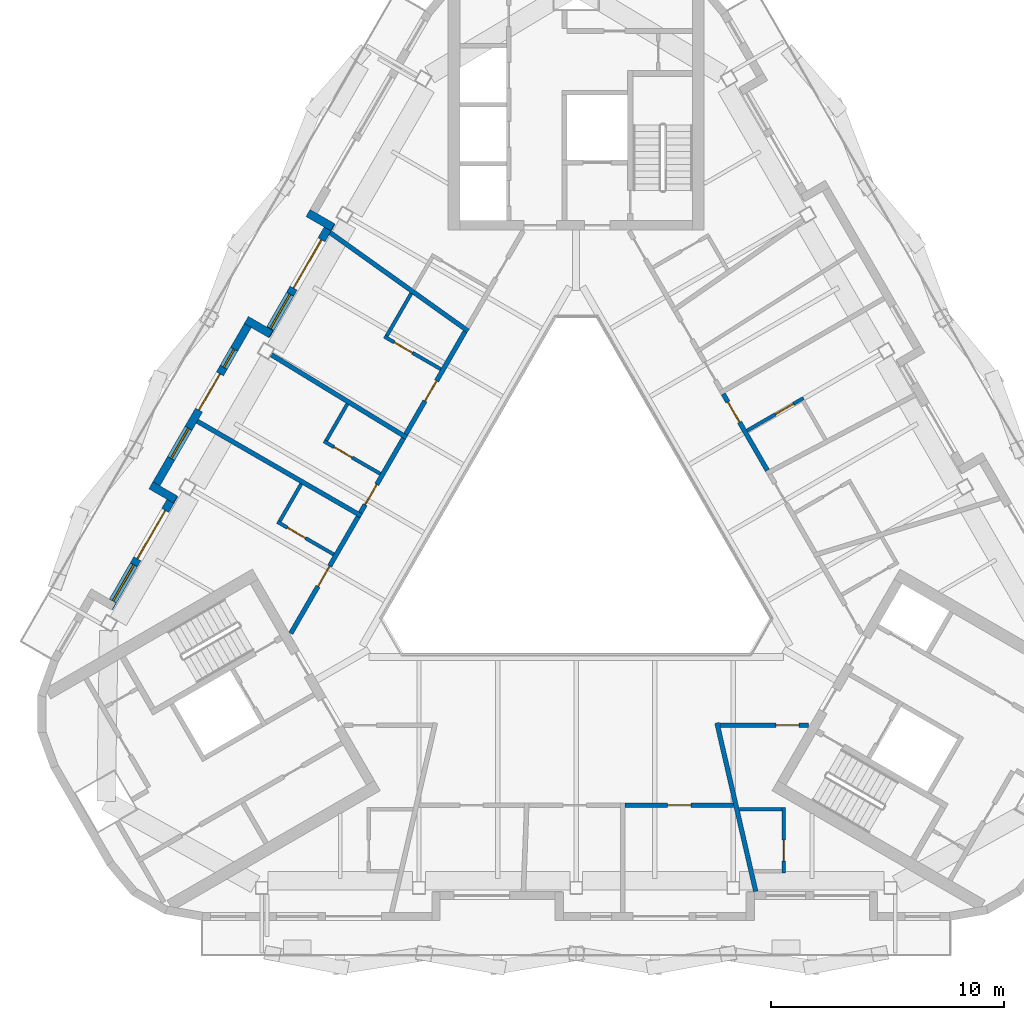
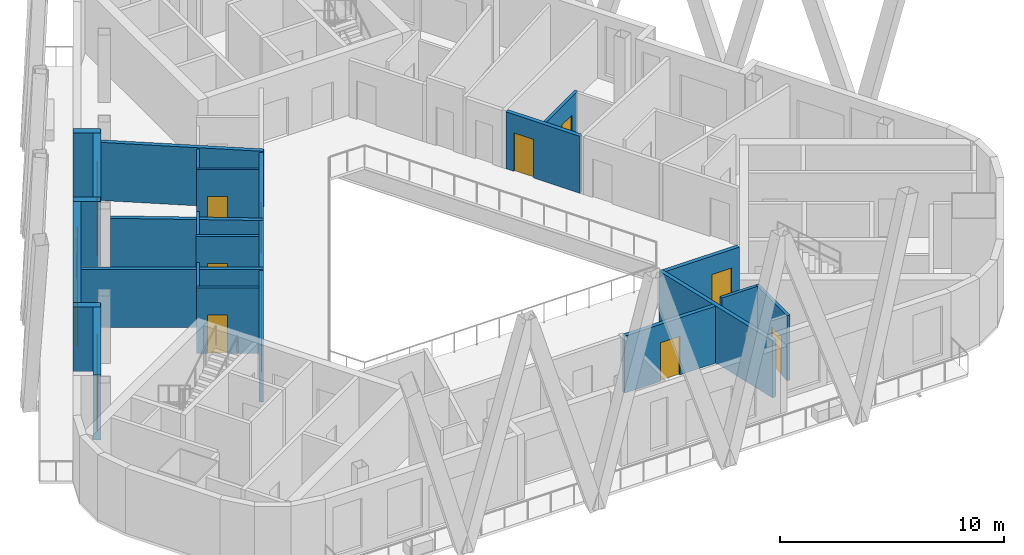
# One storey, part 4 of 12: 25 walls, 14 doors, 4 windows, 18 openings.
"""IFC4 building model written with IfcOpenShell, lengths in metres."""

from ifc_helpers import new_model, si_unit, direction, frame, frame_2d, origin, place, context, subcontext, project, spatial, rectangle, extrude, material, layer, layer_set, type_object, element, fill, save


model = new_model("IFC4")

# Units and contexts
model_context = context("Model", 3, precision=1e-05, world=origin(), true_north=direction((0.0, 1.0)))
body_context = subcontext(model_context, "Body", "Model", "MODEL_VIEW")
ifc_project = project(units=[si_unit("LENGTHUNIT", "METRE"), si_unit("AREAUNIT", "SQUARE_METRE"), si_unit("VOLUMEUNIT", "CUBIC_METRE"), si_unit("PLANEANGLEUNIT", "RADIAN"), si_unit("MASSUNIT", "GRAM", prefix="KILO")], contexts=[model_context])

# Site, building, storey
site_placement = place(None, origin())
site = spatial("IfcSite", under=ifc_project, at=site_placement, CompositionType="ELEMENT")
building_placement = place(site_placement, origin())
building = spatial("IfcBuilding", under=site, at=building_placement, Name="Apuvela Tower Hotel", CompositionType="ELEMENT")
storey_placement = place(building_placement, frame((0.0, 0.0, 302.199951171875)))
storey = spatial("IfcBuildingStorey", under=building, at=storey_placement, Name="L75", CompositionType="ELEMENT", Elevation=302.199951171875)

# Wall
ifc_material_1 = material(Name="Concrete C40/50, dark pigmented precast panel", Category="concrete")
ifc_layer_1 = layer(ifc_material_1, 0.35009765625)
ifc_layer_set_1 = layer_set([ifc_layer_1], Name="ENV-WALL-350")
wall_type_1 = type_object("IfcWallType", Name="ENV-WALL-350", PredefinedType="SOLIDWALL", material=ifc_layer_set_1)
wall_1_placement = place(storey_placement, frame((-11.527587890625, 13.622802734375, 0.0), z_axis=(0.0, 0.0, 1.0), x_axis=(0.866005645448, -0.500034220881, 0.0)))
element("IfcWall", 1, at=wall_1_placement, inside=storey, type_object=wall_type_1, Name="External wall L75-02", PredefinedType="SOLIDWALL", context=body_context, shape_type="SweptSolid", body=[
    extrude(rectangle(XDim=1.22021484375, YDim=0.35009765625, at=frame_2d((0.610107421875, 0.0))), origin(), (0.0, 0.0, 1.0), 3.550048828125),
])

# Wall, openings, door, window
wall_2_placement = place(storey_placement, frame((-10.52392578125, 13.2109375, 0.0), z_axis=(0.0, 0.0, 1.0), x_axis=(-0.500008054862, -0.866020753258, 0.0)))
wall_2 = element("IfcWall", 2, at=wall_2_placement, inside=storey, type_object=wall_type_1, Name="External wall L75-03", PredefinedType="SOLIDWALL", context=body_context, shape_type="SweptSolid", body=[
    extrude(rectangle(XDim=5.59912109375, YDim=0.35009765625, at=frame_2d((2.799560546875, 0.0))), origin(), (0.0, 0.0, 1.0), 3.550048828125),
])
opening_1_placement = place(wall_2_placement, frame((0.85107421875, 0.0, 0.0)))
opening_1 = element("IfcOpeningElement", 3, at=opening_1_placement, cuts=wall_2, Name="Opening BD24", PredefinedType="OPENING", context=body_context, shape_type="SweptSolid", body=[
    extrude(rectangle(XDim=2.39990234375, YDim=2.39990234375, at=frame_2d((1.199951171875, 1.199951171875))), frame((0.0, 0.18505859375, 0.0), z_axis=(0.0, -1.0, 0.0), x_axis=(1.0, 0.0, 0.0)), (0.0, 0.0, 1.0), 0.3701171875),
])
opening_2_placement = place(wall_2_placement, frame((3.551025390625, 0.0, 0.300048828125)))
opening_2 = element("IfcOpeningElement", 4, at=opening_2_placement, cuts=wall_2, Name="Opening WN17", PredefinedType="OPENING", context=body_context, shape_type="SweptSolid", body=[
    extrude(rectangle(XDim=1.699951171875, YDim=2.64990234375, at=frame_2d((0.85009765625, 1.324951171875))), frame((0.0, 0.18505859375, 0.0), z_axis=(0.0, -1.0, 0.0), x_axis=(1.0, 0.0, 0.0)), (0.0, 0.0, 1.0), 0.3701171875),
])
ifc_material_2 = material(Name="Aluminium 6063-T6, dark bronze anodised frame with dark tinted laminated glass", Category="aluminium")
door_type_1 = type_object("IfcDoorType", Name="ENV-DOOR-BALCONY-2400x2400", OperationType="SLIDING_TO_LEFT", PredefinedType="DOOR", material=ifc_material_2)
door_1_placement = place(opening_1_placement, frame((2.39990234375, 0.0, 0.0), z_axis=(0.0, 0.0, 1.0), x_axis=(-1.0, 0.0, 0.0)))
door_1 = element("IfcDoor", 5, at=door_1_placement, inside=storey, type_object=door_type_1, Name="Balcony door BD24", OperationType="SLIDING_TO_LEFT", OverallHeight=2.39990234375, OverallWidth=2.39990234375, PredefinedType="DOOR", context=body_context, shape_type="SweptSolid", body=[
    extrude(rectangle(XDim=2.39990234375, YDim=2.39990234375, at=frame_2d((1.199951171875, 1.199951171875))), frame((0.0, 0.02490234375, 0.0), z_axis=(0.0, -1.0, 0.0), x_axis=(1.0, 0.0, 0.0)), (0.0, 0.0, 1.0), 0.050048828125),
])
fill(opening_1, door_1)
ifc_material_3 = material(Name="Glass, dark tinted laminated insulated glazing unit", Category="glass")
window_type_1 = type_object("IfcWindowType", Name="ENV-WIN-1700x2650", PartitioningType="SINGLE_PANEL", PredefinedType="WINDOW", material=ifc_material_3)
window_1_placement = place(opening_2_placement, origin())
window_1 = element("IfcWindow", 6, at=window_1_placement, inside=storey, type_object=window_type_1, Name="Window WN17", OverallHeight=2.64990234375, OverallWidth=1.699951171875, PartitioningType="SINGLE_PANEL", PredefinedType="WINDOW", context=body_context, shape_type="SweptSolid", body=[
    extrude(rectangle(XDim=1.699951171875, YDim=2.64990234375, at=frame_2d((0.85009765625, 1.324951171875))), frame((0.0, 0.030029296875, 0.0), z_axis=(0.0, -1.0, 0.0), x_axis=(1.0, 0.0, 0.0)), (0.0, 0.0, 1.0), 0.06005859375),
])
fill(opening_2, window_1)

# Wall
wall_3_placement = place(storey_placement, frame((-13.12548828125, 8.4150390625, 0.0), z_axis=(0.0, 0.0, 1.0), x_axis=(-0.865955602162, 0.500120880472, 0.0)))
element("IfcWall", 7, at=wall_3_placement, inside=storey, type_object=wall_type_1, Name="External wall L75-04", PredefinedType="SOLIDWALL", context=body_context, shape_type="SweptSolid", body=[
    extrude(rectangle(XDim=1.219970703125, YDim=0.35009765625, at=frame_2d((0.60986328125, 0.0))), origin(), (0.0, 0.0, 1.0), 3.550048828125),
])

# Wall, openings, door, windows
wall_4_placement = place(storey_placement, frame((-13.94287109375, 9.089111328125, 0.0), z_axis=(0.0, 0.0, 1.0), x_axis=(-0.500013816581, -0.866017426631, 0.0)))
wall_4 = element("IfcWall", 8, at=wall_4_placement, inside=storey, type_object=wall_type_1, Name="External wall L75-05", PredefinedType="SOLIDWALL", context=body_context, shape_type="SweptSolid", body=[
    extrude(rectangle(XDim=8.558837890625, YDim=0.35009765625, at=frame_2d((4.279296875, 0.0))), origin(), (0.0, 0.0, 1.0), 3.550048828125),
])
opening_3_placement = place(wall_4_placement, frame((2.750244140625, 0.0, 0.0)))
opening_3 = element("IfcOpeningElement", 9, at=opening_3_placement, cuts=wall_4, Name="Opening BD18", PredefinedType="OPENING", context=body_context, shape_type="SweptSolid", body=[
    extrude(rectangle(XDim=1.800048828125, YDim=2.39990234375, at=frame_2d((0.89990234375, 1.199951171875))), frame((0.0, 0.18505859375, 0.0), z_axis=(0.0, -1.0, 0.0), x_axis=(1.0, 0.0, 0.0)), (0.0, 0.0, 1.0), 0.3701171875),
])
opening_4_placement = place(wall_4_placement, frame((1.52490234375, 0.0, 0.300048828125)))
opening_4 = element("IfcOpeningElement", 10, at=opening_4_placement, cuts=wall_4, Name="Opening WN09", PredefinedType="OPENING", context=body_context, shape_type="SweptSolid", body=[
    extrude(rectangle(XDim=0.89990234375, YDim=2.64990234375, at=frame_2d((0.449951171875, 1.324951171875))), frame((0.0, 0.18505859375, 0.0), z_axis=(0.0, -1.0, 0.0), x_axis=(1.0, 0.0, 0.0)), (0.0, 0.0, 1.0), 0.3701171875),
])
opening_5_placement = place(wall_4_placement, frame((5.4501953125, 0.0, 0.300048828125)))
opening_5 = element("IfcOpeningElement", 11, at=opening_5_placement, cuts=wall_4, Name="Opening WN15", PredefinedType="OPENING", context=body_context, shape_type="SweptSolid", body=[
    extrude(rectangle(XDim=1.5, YDim=2.64990234375, at=frame_2d((0.75, 1.324951171875))), frame((0.0, 0.18505859375, 0.0), z_axis=(0.0, -1.0, 0.0), x_axis=(1.0, 0.0, 0.0)), (0.0, 0.0, 1.0), 0.3701171875),
])
door_type_2 = type_object("IfcDoorType", Name="ENV-DOOR-BALCONY-1800x2400", OperationType="SLIDING_TO_LEFT", PredefinedType="DOOR", material=ifc_material_2)
door_2_placement = place(opening_3_placement, frame((1.800048828125, 0.0, 0.0), z_axis=(0.0, 0.0, 1.0), x_axis=(-1.0, 0.0, 0.0)))
door_2 = element("IfcDoor", 12, at=door_2_placement, inside=storey, type_object=door_type_2, Name="Balcony door BD18", OperationType="SLIDING_TO_LEFT", OverallHeight=2.39990234375, OverallWidth=1.800048828125, PredefinedType="DOOR", context=body_context, shape_type="SweptSolid", body=[
    extrude(rectangle(XDim=1.800048828125, YDim=2.39990234375, at=frame_2d((0.89990234375, 1.199951171875))), frame((0.0, 0.02490234375, 0.0), z_axis=(0.0, -1.0, 0.0), x_axis=(1.0, 0.0, 0.0)), (0.0, 0.0, 1.0), 0.050048828125),
])
fill(opening_3, door_2)
window_type_2 = type_object("IfcWindowType", Name="ENV-WIN-1500x2650", PartitioningType="SINGLE_PANEL", PredefinedType="WINDOW", material=ifc_material_3)
window_2_placement = place(opening_5_placement, origin())
window_2 = element("IfcWindow", 13, at=window_2_placement, inside=storey, type_object=window_type_2, Name="Window WN15", OverallHeight=2.64990234375, OverallWidth=1.5, PartitioningType="SINGLE_PANEL", PredefinedType="WINDOW", context=body_context, shape_type="SweptSolid", body=[
    extrude(rectangle(XDim=1.5, YDim=2.64990234375, at=frame_2d((0.75, 1.324951171875))), frame((0.0, 0.030029296875, 0.0), z_axis=(0.0, -1.0, 0.0), x_axis=(1.0, 0.0, 0.0)), (0.0, 0.0, 1.0), 0.06005859375),
])
fill(opening_5, window_2)
window_type_3 = type_object("IfcWindowType", Name="ENV-WIN-900x2650", PartitioningType="SINGLE_PANEL", PredefinedType="WINDOW", material=ifc_material_3)
window_3_placement = place(opening_4_placement, origin())
window_3 = element("IfcWindow", 14, at=window_3_placement, inside=storey, type_object=window_type_3, Name="Window WN09", OverallHeight=2.64990234375, OverallWidth=0.89990234375, PartitioningType="SINGLE_PANEL", PredefinedType="WINDOW", context=body_context, shape_type="SweptSolid", body=[
    extrude(rectangle(XDim=0.89990234375, YDim=2.64990234375, at=frame_2d((0.449951171875, 1.324951171875))), frame((0.0, 0.030029296875, 0.0), z_axis=(0.0, -1.0, 0.0), x_axis=(1.0, 0.0, 0.0)), (0.0, 0.0, 1.0), 0.06005859375),
])
fill(opening_4, window_3)

# Wall
wall_5_placement = place(storey_placement, frame((-18.28662109375, 1.916015625, 0.0), z_axis=(0.0, 0.0, 1.0), x_axis=(0.866142280446, -0.499797509021, 0.0)))
element("IfcWall", 15, at=wall_5_placement, inside=storey, type_object=wall_type_1, Name="External wall L75-06", PredefinedType="SOLIDWALL", context=body_context, shape_type="SweptSolid", body=[
    extrude(rectangle(XDim=1.22021484375, YDim=0.35009765625, at=frame_2d((0.610107421875, 0.0))), origin(), (0.0, 0.0, 1.0), 3.550048828125),
])

# Wall, openings, door, window
wall_6_placement = place(storey_placement, frame((-17.282958984375, 1.504150390625, 0.0), z_axis=(0.0, 0.0, 1.0), x_axis=(-0.500008054862, -0.866020753258, 0.0)))
wall_6 = element("IfcWall", 16, at=wall_6_placement, inside=storey, type_object=wall_type_1, Name="External wall L75-07", PredefinedType="SOLIDWALL", context=body_context, shape_type="SweptSolid", body=[
    extrude(rectangle(XDim=5.59912109375, YDim=0.35009765625, at=frame_2d((2.799560546875, 0.0))), origin(), (0.0, 0.0, 1.0), 3.550048828125),
])
opening_6_placement = place(wall_6_placement, frame((0.77001953125, 0.0, 0.0)))
opening_6 = element("IfcOpeningElement", 17, at=opening_6_placement, cuts=wall_6, Name="Opening BD24", PredefinedType="OPENING", context=body_context, shape_type="SweptSolid", body=[
    extrude(rectangle(XDim=2.39990234375, YDim=2.39990234375, at=frame_2d((1.199951171875, 1.199951171875))), frame((0.0, 0.18505859375, 0.0), z_axis=(0.0, -1.0, 0.0), x_axis=(1.0, 0.0, 0.0)), (0.0, 0.0, 1.0), 0.3701171875),
])
opening_7_placement = place(wall_6_placement, frame((3.47021484375, 0.0, 0.300048828125)))
opening_7 = element("IfcOpeningElement", 18, at=opening_7_placement, cuts=wall_6, Name="Opening WN18", PredefinedType="OPENING", context=body_context, shape_type="SweptSolid", body=[
    extrude(rectangle(XDim=1.800048828125, YDim=2.64990234375, at=frame_2d((0.89990234375, 1.324951171875))), frame((0.0, 0.18505859375, 0.0), z_axis=(0.0, -1.0, 0.0), x_axis=(1.0, 0.0, 0.0)), (0.0, 0.0, 1.0), 0.3701171875),
])
door_3_placement = place(opening_6_placement, frame((2.39990234375, 0.0, 0.0), z_axis=(0.0, 0.0, 1.0), x_axis=(-1.0, 0.0, 0.0)))
door_3 = element("IfcDoor", 19, at=door_3_placement, inside=storey, type_object=door_type_1, Name="Balcony door BD24", OperationType="SLIDING_TO_LEFT", OverallHeight=2.39990234375, OverallWidth=2.39990234375, PredefinedType="DOOR", context=body_context, shape_type="SweptSolid", body=[
    extrude(rectangle(XDim=2.39990234375, YDim=2.39990234375, at=frame_2d((1.199951171875, 1.199951171875))), frame((0.0, 0.02490234375, 0.0), z_axis=(0.0, -1.0, 0.0), x_axis=(1.0, 0.0, 0.0)), (0.0, 0.0, 1.0), 0.050048828125),
])
fill(opening_6, door_3)
window_type_4 = type_object("IfcWindowType", Name="ENV-WIN-1800x2650", PartitioningType="SINGLE_PANEL", PredefinedType="WINDOW", material=ifc_material_3)
window_4_placement = place(opening_7_placement, origin())
window_4 = element("IfcWindow", 20, at=window_4_placement, inside=storey, type_object=window_type_4, Name="Window WN18", OverallHeight=2.64990234375, OverallWidth=1.800048828125, PartitioningType="SINGLE_PANEL", PredefinedType="WINDOW", context=body_context, shape_type="SweptSolid", body=[
    extrude(rectangle(XDim=1.800048828125, YDim=2.64990234375, at=frame_2d((0.89990234375, 1.324951171875))), frame((0.0, 0.030029296875, 0.0), z_axis=(0.0, -1.0, 0.0), x_axis=(1.0, 0.0, 0.0)), (0.0, 0.0, 1.0), 0.06005859375),
])
fill(opening_7, window_4)

# Walls
ifc_material_4 = material(Name="Gypsum board partition on twin steel stud", Category="steel")
ifc_layer_2 = layer(ifc_material_4, 0.199951171875)
ifc_layer_set_2 = layer_set([ifc_layer_2], Name="GST-PW1")
wall_type_2 = type_object("IfcWallType", Name="GST-PW1", PredefinedType="PARTITIONING", material=ifc_layer_set_2)
wall_7_placement = place(storey_placement, frame((7.72265625, -15.544677734375, 0.0), z_axis=(0.0, 0.0, 1.0), x_axis=(-0.224458954761, 0.974483544052, 0.0)))
element("IfcWall", 21, at=wall_7_placement, inside=storey, type_object=wall_type_2, Name="L75 partition 04", PredefinedType="PARTITIONING", context=body_context, shape_type="SweptSolid", body=[
    extrude(rectangle(XDim=7.434326171875, YDim=0.199951171875, at=frame_2d((3.71728515625, 0.0))), origin(), (0.0, 0.0, 1.0), 3.10009765625),
])
wall_8_placement = place(storey_placement, frame((-10.57275390625, 12.7763671875, 0.0), z_axis=(0.0, 0.0, 1.0), x_axis=(0.814114082564, -0.580704968613, 0.0)))
element("IfcWall", 22, at=wall_8_placement, inside=storey, type_object=wall_type_2, Name="L75 partition 09", PredefinedType="PARTITIONING", context=body_context, shape_type="SweptSolid", body=[
    extrude(rectangle(XDim=7.27783203125, YDim=0.199951171875, at=frame_2d((3.638916015625, 0.0))), origin(), (0.0, 0.0, 1.0), 3.16015625),
])
wall_9_placement = place(storey_placement, frame((-13.110595703125, 7.531005859375, 0.0), z_axis=(0.0, 0.0, 1.0), x_axis=(0.853158842711, -0.521651214034, 0.0)))
element("IfcWall", 23, at=wall_9_placement, inside=storey, type_object=wall_type_2, Name="L75 partition 10", PredefinedType="PARTITIONING", context=body_context, shape_type="SweptSolid", body=[
    extrude(rectangle(XDim=6.82177734375, YDim=0.199951171875, at=frame_2d((3.410888671875, 0.0))), origin(), (0.0, 0.0, 1.0), 3.10009765625),
])
wall_10_placement = place(storey_placement, frame((-16.29150390625, 4.671630859375, 0.0), z_axis=(0.0, 0.0, 1.0), x_axis=(0.866028345359, -0.499994905008, 0.0)))
element("IfcWall", 24, at=wall_10_placement, inside=storey, type_object=wall_type_2, Name="L75 partition 11", PredefinedType="PARTITIONING", context=body_context, shape_type="SweptSolid", body=[
    extrude(rectangle(XDim=8.14453125, YDim=0.199951171875, at=frame_2d((4.072265625, 0.0))), origin(), (0.0, 0.0, 1.0), 3.16015625),
])

# Wall, opening, door
ifc_material_5 = material(Name="Gypsum board corridor wall on twin steel stud, acoustic", Category="steel")
ifc_layer_3 = layer(ifc_material_5, 0.199951171875)
ifc_layer_set_3 = layer_set([ifc_layer_3], Name="GST-PW2")
wall_type_3 = type_object("IfcWallType", Name="GST-PW2", PredefinedType="PARTITIONING", material=ifc_layer_set_3)
wall_11_placement = place(storey_placement, frame((6.767822265625, -11.844482421875, 0.0), z_axis=(0.0, 0.0, 1.0), x_axis=(-1.0, 0.0, 0.0)))
wall_11 = element("IfcWall", 25, at=wall_11_placement, inside=storey, type_object=wall_type_3, Name="L75 partition 18", PredefinedType="PARTITIONING", context=body_context, shape_type="SweptSolid", body=[
    extrude(rectangle(XDim=4.667724609375, YDim=0.199951171875, at=frame_2d((2.333984375, 0.0))), origin(), (0.0, 0.0, 1.0), 3.10009765625),
])
opening_8_placement = place(wall_11_placement, frame((1.833984375, 0.0, 0.0)))
opening_8 = element("IfcOpeningElement", 26, at=opening_8_placement, cuts=wall_11, Name="Opening GD31-05", PredefinedType="OPENING", context=body_context, shape_type="SweptSolid", body=[
    extrude(rectangle(XDim=1.0, YDim=2.10009765625, at=frame_2d((0.5, 1.050048828125))), frame((0.0, 0.10986328125, 0.0), z_axis=(0.0, -1.0, 0.0), x_axis=(1.0, 0.0, 0.0)), (0.0, 0.0, 1.0), 0.219970703125),
])
ifc_material_6 = material(Name="Timber door leaf in steel frame", Category="steel")
door_type_3 = type_object("IfcDoorType", Name="GST-D1", OperationType="NOTDEFINED", PredefinedType="DOOR", material=ifc_material_6)
door_4_placement = place(opening_8_placement, origin())
door_4 = element("IfcDoor", 27, at=door_4_placement, inside=storey, type_object=door_type_3, Name="Door L75-05", OperationType="SINGLE_SWING_LEFT", OverallHeight=2.10009765625, OverallWidth=1.0, PredefinedType="DOOR", context=body_context, shape_type="SweptSolid", body=[
    extrude(rectangle(XDim=1.0, YDim=2.10009765625, at=frame_2d((0.5, 1.050048828125))), frame((0.0, 0.02490234375, 0.0), z_axis=(0.0, -1.0, 0.0), x_axis=(1.0, 0.0, 0.0)), (0.0, 0.0, 1.0), 0.050048828125),
])
fill(opening_8, door_4)

wall_12_placement = place(storey_placement, frame((9.98828125, -8.39990234375, 0.0), z_axis=(0.0, 0.0, 1.0), x_axis=(-1.0, 0.0, 0.0)))
wall_12 = element("IfcWall", 28, at=wall_12_placement, inside=storey, type_object=wall_type_3, Name="L75 partition 19", PredefinedType="PARTITIONING", context=body_context, shape_type="SweptSolid", body=[
    extrude(rectangle(XDim=3.80859375, YDim=0.199951171875, at=frame_2d((1.904296875, 0.0))), origin(), (0.0, 0.0, 1.0), 3.10009765625),
])
opening_9_placement = place(wall_12_placement, frame((0.39990234375, 0.0, 0.0)))
opening_9 = element("IfcOpeningElement", 29, at=opening_9_placement, cuts=wall_12, Name="Opening GD31-07", PredefinedType="OPENING", context=body_context, shape_type="SweptSolid", body=[
    extrude(rectangle(XDim=1.0, YDim=2.10009765625, at=frame_2d((0.5, 1.050048828125))), frame((0.0, 0.10986328125, 0.0), z_axis=(0.0, -1.0, 0.0), x_axis=(1.0, 0.0, 0.0)), (0.0, 0.0, 1.0), 0.219970703125),
])
door_5_placement = place(opening_9_placement, origin())
door_5 = element("IfcDoor", 30, at=door_5_placement, inside=storey, type_object=door_type_3, Name="Door L75-07", OperationType="SINGLE_SWING_LEFT", OverallHeight=2.10009765625, OverallWidth=1.0, PredefinedType="DOOR", context=body_context, shape_type="SweptSolid", body=[
    extrude(rectangle(XDim=1.0, YDim=2.10009765625, at=frame_2d((0.5, 1.050048828125))), frame((0.0, 0.02490234375, 0.0), z_axis=(0.0, -1.0, 0.0), x_axis=(1.0, 0.0, 0.0)), (0.0, 0.0, 1.0), 0.050048828125),
])
fill(opening_9, door_5)

wall_13_placement = place(storey_placement, frame((6.32470703125, 5.845458984375, 0.0), z_axis=(0.0, 0.0, 1.0), x_axis=(0.499971120268, -0.866042076863, 0.0)))
wall_13 = element("IfcWall", 31, at=wall_13_placement, inside=storey, type_object=wall_type_3, Name="L75 partition 29", PredefinedType="PARTITIONING", context=body_context, shape_type="SweptSolid", body=[
    extrude(rectangle(XDim=3.796142578125, YDim=0.199951171875, at=frame_2d((1.89794921875, 0.0))), origin(), (0.0, 0.0, 1.0), 3.10009765625),
])
opening_10_placement = place(wall_13_placement, frame((0.40185546875, 0.0, 0.0)))
opening_10 = element("IfcOpeningElement", 32, at=opening_10_placement, cuts=wall_13, Name="Opening GD31-13", PredefinedType="OPENING", context=body_context, shape_type="SweptSolid", body=[
    extrude(rectangle(XDim=1.0, YDim=2.10009765625, at=frame_2d((0.5, 1.050048828125))), frame((0.0, 0.10986328125, 0.0), z_axis=(0.0, -1.0, 0.0), x_axis=(1.0, 0.0, 0.0)), (0.0, 0.0, 1.0), 0.219970703125),
])
door_6_placement = place(opening_10_placement, origin())
door_6 = element("IfcDoor", 33, at=door_6_placement, inside=storey, type_object=door_type_3, Name="Door L75-13", OperationType="SINGLE_SWING_LEFT", OverallHeight=2.10009765625, OverallWidth=1.0, PredefinedType="DOOR", context=body_context, shape_type="SweptSolid", body=[
    extrude(rectangle(XDim=1.0, YDim=2.10009765625, at=frame_2d((0.5, 1.050048828125))), frame((0.0, 0.02490234375, 0.0), z_axis=(0.0, -1.0, 0.0), x_axis=(1.0, 0.0, 0.0)), (0.0, 0.0, 1.0), 0.050048828125),
])
fill(opening_10, door_6)

wall_14_placement = place(storey_placement, frame((-7.325927734375, 4.111083984375, 0.0), z_axis=(0.0, 0.0, 1.0), x_axis=(0.499970062876, 0.866042687301, 0.0)))
wall_14 = element("IfcWall", 34, at=wall_14_placement, inside=storey, type_object=wall_type_3, Name="L75 partition 41", PredefinedType="PARTITIONING", context=body_context, shape_type="SweptSolid", body=[
    extrude(rectangle(XDim=5.092529296875, YDim=0.199951171875, at=frame_2d((2.54638671875, 0.0))), origin(), (0.0, 0.0, 1.0), 3.10009765625),
])
opening_11_placement = place(wall_14_placement, frame((1.652099609375, 0.0, 0.0)))
opening_11 = element("IfcOpeningElement", 35, at=opening_11_placement, cuts=wall_14, Name="Opening GD31-21", PredefinedType="OPENING", context=body_context, shape_type="SweptSolid", body=[
    extrude(rectangle(XDim=1.0, YDim=2.10009765625, at=frame_2d((0.5, 1.050048828125))), frame((0.0, 0.10986328125, 0.0), z_axis=(0.0, -1.0, 0.0), x_axis=(1.0, 0.0, 0.0)), (0.0, 0.0, 1.0), 0.219970703125),
])
door_7_placement = place(opening_11_placement, origin())
door_7 = element("IfcDoor", 36, at=door_7_placement, inside=storey, type_object=door_type_3, Name="Door L75-21", OperationType="SINGLE_SWING_LEFT", OverallHeight=2.10009765625, OverallWidth=1.0, PredefinedType="DOOR", context=body_context, shape_type="SweptSolid", body=[
    extrude(rectangle(XDim=1.0, YDim=2.10009765625, at=frame_2d((0.5, 1.050048828125))), frame((0.0, 0.02490234375, 0.0), z_axis=(0.0, -1.0, 0.0), x_axis=(1.0, 0.0, 0.0)), (0.0, 0.0, 1.0), 0.050048828125),
])
fill(opening_11, door_7)

wall_15_placement = place(storey_placement, frame((-9.274658203125, 0.73583984375, 0.0), z_axis=(0.0, 0.0, 1.0), x_axis=(0.50002346599, 0.866011855265, 0.0)))
wall_15 = element("IfcWall", 37, at=wall_15_placement, inside=storey, type_object=wall_type_3, Name="L75 partition 44", PredefinedType="PARTITIONING", context=body_context, shape_type="SweptSolid", body=[
    extrude(rectangle(XDim=3.697509765625, YDim=0.199951171875, at=frame_2d((1.8486328125, 0.0))), origin(), (0.0, 0.0, 1.0), 3.10009765625),
])
opening_12_placement = place(wall_15_placement, frame((0.4013671875, 0.0, 0.0)))
opening_12 = element("IfcOpeningElement", 38, at=opening_12_placement, cuts=wall_15, Name="Opening GD31-23", PredefinedType="OPENING", context=body_context, shape_type="SweptSolid", body=[
    extrude(rectangle(XDim=1.0, YDim=2.10009765625, at=frame_2d((0.5, 1.050048828125))), frame((0.0, 0.10986328125, 0.0), z_axis=(0.0, -1.0, 0.0), x_axis=(1.0, 0.0, 0.0)), (0.0, 0.0, 1.0), 0.219970703125),
])
door_8_placement = place(opening_12_placement, origin())
door_8 = element("IfcDoor", 39, at=door_8_placement, inside=storey, type_object=door_type_3, Name="Door L75-23", OperationType="SINGLE_SWING_LEFT", OverallHeight=2.10009765625, OverallWidth=1.0, PredefinedType="DOOR", context=body_context, shape_type="SweptSolid", body=[
    extrude(rectangle(XDim=1.0, YDim=2.10009765625, at=frame_2d((0.5, 1.050048828125))), frame((0.0, 0.02490234375, 0.0), z_axis=(0.0, -1.0, 0.0), x_axis=(1.0, 0.0, 0.0)), (0.0, 0.0, 1.0), 0.050048828125),
])
fill(opening_12, door_8)

wall_16_placement = place(storey_placement, frame((-12.268798828125, -4.449951171875, 0.0), z_axis=(0.0, 0.0, 1.0), x_axis=(0.50002670742, 0.866009983699, 0.0)))
wall_16 = element("IfcWall", 40, at=wall_16_placement, inside=storey, type_object=wall_type_3, Name="L75 partition 47", PredefinedType="PARTITIONING", context=body_context, shape_type="SweptSolid", body=[
    extrude(rectangle(XDim=5.788330078125, YDim=0.199951171875, at=frame_2d((2.89404296875, 0.0))), origin(), (0.0, 0.0, 1.0), 3.10009765625),
])
opening_13_placement = place(wall_16_placement, frame((2.338134765625, 0.0, 0.0)))
opening_13 = element("IfcOpeningElement", 41, at=opening_13_placement, cuts=wall_16, Name="Opening GD31-25", PredefinedType="OPENING", context=body_context, shape_type="SweptSolid", body=[
    extrude(rectangle(XDim=1.0, YDim=2.10009765625, at=frame_2d((0.5, 1.050048828125))), frame((0.0, 0.10986328125, 0.0), z_axis=(0.0, -1.0, 0.0), x_axis=(1.0, 0.0, 0.0)), (0.0, 0.0, 1.0), 0.219970703125),
])
door_9_placement = place(opening_13_placement, origin())
door_9 = element("IfcDoor", 42, at=door_9_placement, inside=storey, type_object=door_type_3, Name="Door L75-25", OperationType="SINGLE_SWING_LEFT", OverallHeight=2.10009765625, OverallWidth=1.0, PredefinedType="DOOR", context=body_context, shape_type="SweptSolid", body=[
    extrude(rectangle(XDim=1.0, YDim=2.10009765625, at=frame_2d((0.5, 1.050048828125))), frame((0.0, 0.02490234375, 0.0), z_axis=(0.0, -1.0, 0.0), x_axis=(1.0, 0.0, 0.0)), (0.0, 0.0, 1.0), 0.050048828125),
])
fill(opening_13, door_9)

ifc_material_7 = material(Name="Moisture-resistant gypsum board wet wall on steel stud", Category="steel")
ifc_layer_4 = layer(ifc_material_7, 0.14990234375)
ifc_layer_set_4 = layer_set([ifc_layer_4], Name="GST-PW3")
wall_type_4 = type_object("IfcWallType", Name="GST-PW3", PredefinedType="PARTITIONING", material=ifc_layer_set_4)
wall_17_placement = place(storey_placement, frame((8.921142578125, -14.74462890625, 0.0), z_axis=(0.0, 0.0, 1.0), x_axis=(0.0, 1.0, 0.0)))
wall_17 = element("IfcWall", 43, at=wall_17_placement, inside=storey, type_object=wall_type_4, Name="L75 partition 20", PredefinedType="PARTITIONING", context=body_context, shape_type="SweptSolid", body=[
    extrude(rectangle(XDim=2.800048828125, YDim=0.14990234375, at=frame_2d((1.39990234375, 0.0))), origin(), (0.0, 0.0, 1.0), 3.550048828125),
])
opening_14_placement = place(wall_17_placement, frame((0.5, 0.0, 0.0)))
opening_14 = element("IfcOpeningElement", 44, at=opening_14_placement, cuts=wall_17, Name="Opening GD31-06", PredefinedType="OPENING", context=body_context, shape_type="SweptSolid", body=[
    extrude(rectangle(XDim=0.89990234375, YDim=2.10009765625, at=frame_2d((0.449951171875, 1.050048828125))), frame((0.0, 0.0849609375, 0.0), z_axis=(0.0, -1.0, 0.0), x_axis=(1.0, 0.0, 0.0)), (0.0, 0.0, 1.0), 0.169921875),
])
door_type_4 = type_object("IfcDoorType", Name="GST-D2", OperationType="NOTDEFINED", PredefinedType="DOOR", material=ifc_material_6)
door_10_placement = place(opening_14_placement, origin())
door_10 = element("IfcDoor", 45, at=door_10_placement, inside=storey, type_object=door_type_4, Name="Door L75-06", OperationType="SINGLE_SWING_LEFT", OverallHeight=2.10009765625, OverallWidth=0.89990234375, PredefinedType="DOOR", context=body_context, shape_type="SweptSolid", body=[
    extrude(rectangle(XDim=0.89990234375, YDim=2.10009765625, at=frame_2d((0.449951171875, 1.050048828125))), frame((0.0, 0.02490234375, 0.0), z_axis=(0.0, -1.0, 0.0), x_axis=(1.0, 0.0, 0.0)), (0.0, 0.0, 1.0), 0.050048828125),
])
fill(opening_14, door_10)

# Wall
wall_18_placement = place(storey_placement, frame((7.01318359375, -12.01953125, 0.0), z_axis=(0.0, 0.0, 1.0), x_axis=(1.0, 0.0, 0.0)))
element("IfcWall", 46, at=wall_18_placement, inside=storey, type_object=wall_type_4, Name="L75 partition 22", PredefinedType="PARTITIONING", context=body_context, shape_type="SweptSolid", body=[
    extrude(rectangle(XDim=1.8330078125, YDim=0.14990234375, at=frame_2d((0.91650390625, 0.0))), origin(), (0.0, 0.0, 1.0), 3.550048828125),
])

# Wall, opening, door
wall_19_placement = place(storey_placement, frame((9.775390625, 5.66845703125, 0.0), z_axis=(0.0, 0.0, 1.0), x_axis=(-0.865996816683, -0.500049511043, 0.0)))
wall_19 = element("IfcWall", 47, at=wall_19_placement, inside=storey, type_object=wall_type_4, Name="L75 partition 30", PredefinedType="PARTITIONING", context=body_context, shape_type="SweptSolid", body=[
    extrude(rectangle(XDim=2.800048828125, YDim=0.14990234375, at=frame_2d((1.39990234375, 0.0))), origin(), (0.0, 0.0, 1.0), 3.10009765625),
])
opening_15_placement = place(wall_19_placement, frame((0.5, 0.0, 0.0)))
opening_15 = element("IfcOpeningElement", 48, at=opening_15_placement, cuts=wall_19, Name="Opening GD31-12", PredefinedType="OPENING", context=body_context, shape_type="SweptSolid", body=[
    extrude(rectangle(XDim=0.89990234375, YDim=2.10009765625, at=frame_2d((0.449951171875, 1.050048828125))), frame((0.0, 0.0849609375, 0.0), z_axis=(0.0, -1.0, 0.0), x_axis=(1.0, 0.0, 0.0)), (0.0, 0.0, 1.0), 0.169921875),
])
door_11_placement = place(opening_15_placement, origin())
door_11 = element("IfcDoor", 49, at=door_11_placement, inside=storey, type_object=door_type_4, Name="Door L75-12", OperationType="SINGLE_SWING_LEFT", OverallHeight=2.10009765625, OverallWidth=0.89990234375, PredefinedType="DOOR", context=body_context, shape_type="SweptSolid", body=[
    extrude(rectangle(XDim=0.89990234375, YDim=2.10009765625, at=frame_2d((0.449951171875, 1.050048828125))), frame((0.0, 0.02490234375, 0.0), z_axis=(0.0, -1.0, 0.0), x_axis=(1.0, 0.0, 0.0)), (0.0, 0.0, 1.0), 0.050048828125),
])
fill(opening_15, door_11)

wall_20_placement = place(storey_placement, frame((-8.248779296875, 8.3125, 0.0), z_axis=(0.0, 0.0, 1.0), x_axis=(0.866034573852, -0.49998411664, 0.0)))
wall_20 = element("IfcWall", 50, at=wall_20_placement, inside=storey, type_object=wall_type_4, Name="L75 partition 42", PredefinedType="PARTITIONING", context=body_context, shape_type="SweptSolid", body=[
    extrude(rectangle(XDim=2.7998046875, YDim=0.14990234375, at=frame_2d((1.39990234375, 0.0))), origin(), (0.0, 0.0, 1.0), 3.550048828125),
])
opening_16_placement = place(wall_20_placement, frame((0.5, 0.0, 0.0)))
opening_16 = element("IfcOpeningElement", 51, at=opening_16_placement, cuts=wall_20, Name="Opening GD31-20", PredefinedType="OPENING", context=body_context, shape_type="SweptSolid", body=[
    extrude(rectangle(XDim=0.89990234375, YDim=2.10009765625, at=frame_2d((0.449951171875, 1.050048828125))), frame((0.0, 0.0849609375, 0.0), z_axis=(0.0, -1.0, 0.0), x_axis=(1.0, 0.0, 0.0)), (0.0, 0.0, 1.0), 0.169921875),
])
door_12_placement = place(opening_16_placement, origin())
door_12 = element("IfcDoor", 52, at=door_12_placement, inside=storey, type_object=door_type_4, Name="Door L75-20", OperationType="SINGLE_SWING_LEFT", OverallHeight=2.10009765625, OverallWidth=0.89990234375, PredefinedType="DOOR", context=body_context, shape_type="SweptSolid", body=[
    extrude(rectangle(XDim=0.89990234375, YDim=2.10009765625, at=frame_2d((0.449951171875, 1.050048828125))), frame((0.0, 0.02490234375, 0.0), z_axis=(0.0, -1.0, 0.0), x_axis=(1.0, 0.0, 0.0)), (0.0, 0.0, 1.0), 0.050048828125),
])
fill(opening_16, door_12)

# Wall
wall_21_placement = place(storey_placement, frame((-7.090087890625, 10.16943359375, 0.0), z_axis=(0.0, 0.0, 1.0), x_axis=(-0.500079259916, -0.865979638214, 0.0)))
element("IfcWall", 53, at=wall_21_placement, inside=storey, type_object=wall_type_4, Name="L75 partition 43", PredefinedType="PARTITIONING", context=body_context, shape_type="SweptSolid", body=[
    extrude(rectangle(XDim=2.112548828125, YDim=0.14990234375, at=frame_2d((1.05615234375, 0.0))), origin(), (0.0, 0.0, 1.0), 3.10009765625),
])

# Wall, opening, door
wall_22_placement = place(storey_placement, frame((-10.847412109375, 3.81201171875, 0.0), z_axis=(0.0, 0.0, 1.0), x_axis=(0.865996816683, -0.500049511043, 0.0)))
wall_22 = element("IfcWall", 54, at=wall_22_placement, inside=storey, type_object=wall_type_4, Name="L75 partition 45", PredefinedType="PARTITIONING", context=body_context, shape_type="SweptSolid", body=[
    extrude(rectangle(XDim=2.800048828125, YDim=0.14990234375, at=frame_2d((1.39990234375, 0.0))), origin(), (0.0, 0.0, 1.0), 3.550048828125),
])
opening_17_placement = place(wall_22_placement, frame((0.5, 0.0, 0.0)))
opening_17 = element("IfcOpeningElement", 55, at=opening_17_placement, cuts=wall_22, Name="Opening GD31-22", PredefinedType="OPENING", context=body_context, shape_type="SweptSolid", body=[
    extrude(rectangle(XDim=0.89990234375, YDim=2.10009765625, at=frame_2d((0.449951171875, 1.050048828125))), frame((0.0, 0.0849609375, 0.0), z_axis=(0.0, -1.0, 0.0), x_axis=(1.0, 0.0, 0.0)), (0.0, 0.0, 1.0), 0.169921875),
])
door_13_placement = place(opening_17_placement, origin())
door_13 = element("IfcDoor", 56, at=door_13_placement, inside=storey, type_object=door_type_4, Name="Door L75-22", OperationType="SINGLE_SWING_LEFT", OverallHeight=2.10009765625, OverallWidth=0.89990234375, PredefinedType="DOOR", context=body_context, shape_type="SweptSolid", body=[
    extrude(rectangle(XDim=0.89990234375, YDim=2.10009765625, at=frame_2d((0.449951171875, 1.050048828125))), frame((0.0, 0.02490234375, 0.0), z_axis=(0.0, -1.0, 0.0), x_axis=(1.0, 0.0, 0.0)), (0.0, 0.0, 1.0), 0.050048828125),
])
fill(opening_17, door_13)

# Wall
wall_23_placement = place(storey_placement, frame((-9.8369140625, 5.412109375, 0.0), z_axis=(0.0, 0.0, 1.0), x_axis=(-0.499970715924, -0.866042310294, 0.0)))
element("IfcWall", 57, at=wall_23_placement, inside=storey, type_object=wall_type_4, Name="L75 partition 46", PredefinedType="PARTITIONING", context=body_context, shape_type="SweptSolid", body=[
    extrude(rectangle(XDim=1.81591796875, YDim=0.14990234375, at=frame_2d((0.907958984375, 0.0))), origin(), (0.0, 0.0, 1.0), 3.550048828125),
])

# Wall, opening, door
wall_24_placement = place(storey_placement, frame((-12.8486328125, 0.345703125, 0.0), z_axis=(0.0, 0.0, 1.0), x_axis=(0.866018616679, -0.500011755427, 0.0)))
wall_24 = element("IfcWall", 58, at=wall_24_placement, inside=storey, type_object=wall_type_4, Name="L75 partition 48", PredefinedType="PARTITIONING", context=body_context, shape_type="SweptSolid", body=[
    extrude(rectangle(XDim=2.80029296875, YDim=0.14990234375, at=frame_2d((1.400146484375, 0.0))), origin(), (0.0, 0.0, 1.0), 3.550048828125),
])
opening_18_placement = place(wall_24_placement, frame((0.5, 0.0, 0.0)))
opening_18 = element("IfcOpeningElement", 59, at=opening_18_placement, cuts=wall_24, Name="Opening GD31-24", PredefinedType="OPENING", context=body_context, shape_type="SweptSolid", body=[
    extrude(rectangle(XDim=0.89990234375, YDim=2.10009765625, at=frame_2d((0.449951171875, 1.050048828125))), frame((0.0, 0.0849609375, 0.0), z_axis=(0.0, -1.0, 0.0), x_axis=(1.0, 0.0, 0.0)), (0.0, 0.0, 1.0), 0.169921875),
])
door_14_placement = place(opening_18_placement, origin())
door_14 = element("IfcDoor", 60, at=door_14_placement, inside=storey, type_object=door_type_4, Name="Door L75-24", OperationType="SINGLE_SWING_LEFT", OverallHeight=2.10009765625, OverallWidth=0.89990234375, PredefinedType="DOOR", context=body_context, shape_type="SweptSolid", body=[
    extrude(rectangle(XDim=0.89990234375, YDim=2.10009765625, at=frame_2d((0.449951171875, 1.050048828125))), frame((0.0, 0.02490234375, 0.0), z_axis=(0.0, -1.0, 0.0), x_axis=(1.0, 0.0, 0.0)), (0.0, 0.0, 1.0), 0.050048828125),
])
fill(opening_18, door_14)

# Wall
wall_25_placement = place(storey_placement, frame((-11.821044921875, 1.97509765625, 0.0), z_axis=(0.0, 0.0, 1.0), x_axis=(-0.500042316284, -0.866000971088, 0.0)))
element("IfcWall", 61, at=wall_25_placement, inside=storey, type_object=wall_type_4, Name="L75 partition 49", PredefinedType="PARTITIONING", context=body_context, shape_type="SweptSolid", body=[
    extrude(rectangle(XDim=1.849853515625, YDim=0.14990234375, at=frame_2d((0.9248046875, 0.0))), origin(), (0.0, 0.0, 1.0), 3.550048828125),
])

save(model, "model.ifc")
